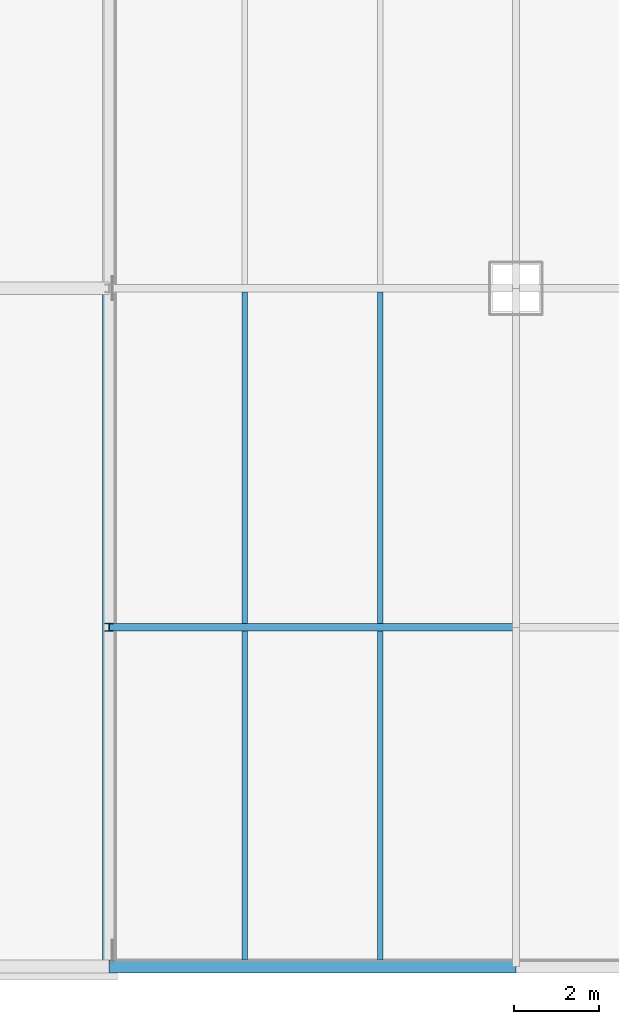
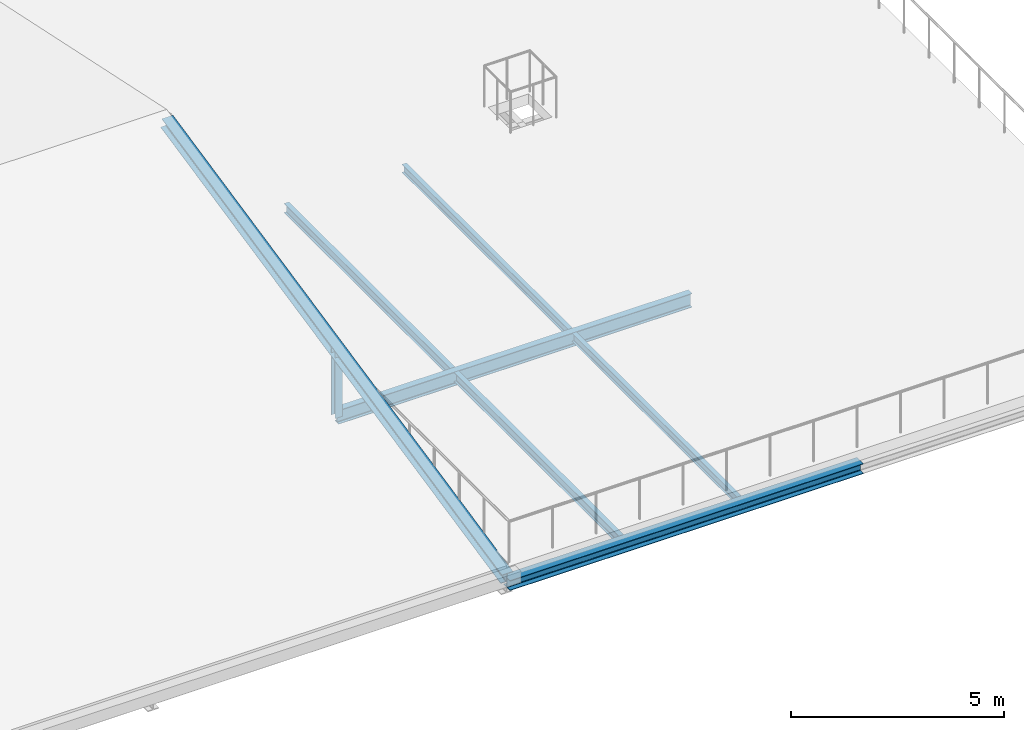
# One storey, part 32 of 85: 6 beams, 2 members.
"""IFC4 building model written with IfcOpenShell, lengths in metres."""

from ifc_helpers import new_model, si_unit, direction, frame, origin, origin_2d, place, context, subcontext, project, spatial, i_section, extrude, material, material_profile, profile_set, type_object, element, save


model = new_model("IFC4")

# Units and contexts
model_context = context("Model", 3, precision=1e-05, world=origin(), true_north=direction((0.0, 1.0)))
body_context = subcontext(model_context, "Body", "Model", "MODEL_VIEW")
ifc_project = project(units=[si_unit("LENGTHUNIT", "METRE"), si_unit("AREAUNIT", "SQUARE_METRE"), si_unit("VOLUMEUNIT", "CUBIC_METRE"), si_unit("PLANEANGLEUNIT", "RADIAN"), si_unit("MASSUNIT", "GRAM", prefix="KILO")], contexts=[model_context])

# Site, building, storey
site_placement = place(None, origin())
site = spatial("IfcSite", under=ifc_project, at=site_placement, CompositionType="ELEMENT")
building_placement = place(site_placement, origin())
building = spatial("IfcBuilding", under=site, at=building_placement, Name="Alderhovde Museum", CompositionType="ELEMENT")
storey_placement = place(building_placement, frame((0.0, 0.0, 8.699951171875)))
storey = spatial("IfcBuildingStorey", under=building, at=storey_placement, Name="L02", CompositionType="ELEMENT", Elevation=8.699951171875)

# Beams
ifc_material_1 = material(Name="Steel S355J2", Category="steel")
ifc_material_profile_1 = material_profile(ifc_material_1, i_section(OverallWidth=0.179931640625, OverallDepth=0.39990234375, WebThickness=0.008544921875, FlangeThickness=0.013427734375, FilletRadius=0.02099609375, at=origin_2d()), Name="IPE 400")
ifc_profile_set_1 = profile_set([ifc_material_profile_1], Name="Steel S355J2")
beam_type_1 = type_object("IfcBeamType", Name="BM-IPE400", PredefinedType="BEAM", material=ifc_profile_set_1)
beam_1_placement = place(storey_placement, frame((96.0, 8.0, -0.5), z_axis=(1.0, 0.0, 0.0), x_axis=(0.0, 1.0, 0.0)))
element("IfcBeam", 1, at=beam_1_placement, inside=storey, type_object=beam_type_1, Name="L02 Grid Beam Y=8.0 (96.0 TO 105.6)", PredefinedType="BEAM", context=body_context, shape_type="SweptSolid", body=[
    extrude(i_section(OverallWidth=0.179931640625, OverallDepth=0.39990234375, WebThickness=0.008544921875, FlangeThickness=0.013427734375, FilletRadius=0.02099609375, at=origin_2d()), origin(), (0.0, 0.0, 1.0), 9.60009765625),
])
ifc_material_2 = material(Name="Steel S355J2", Category="steel")
ifc_material_profile_2 = material_profile(ifc_material_2, i_section(OverallWidth=0.1201171875, OverallDepth=0.239990234375, WebThickness=0.006103515625, FlangeThickness=0.009765625, FilletRadius=0.014892578125, at=origin_2d()), Name="IPE 240")
ifc_profile_set_2 = profile_set([ifc_material_profile_2], Name="Steel S355J2")
beam_type_2 = type_object("IfcBeamType", Name="JST-IPE240", PredefinedType="JOIST", material=ifc_profile_set_2)
beam_2_placement = place(storey_placement, frame((102.39990234375, 0.14990234375, -0.419921875), z_axis=(0.0, 1.0, 0.0), x_axis=(-1.0, 0.0, 0.0)))
element("IfcBeam", 2, at=beam_2_placement, inside=storey, type_object=beam_type_2, Name="L02 Composite Joist X=102.4 (0.0 TO 8.0)", PredefinedType="JOIST", context=body_context, shape_type="SweptSolid", body=[
    extrude(i_section(OverallWidth=0.1201171875, OverallDepth=0.239990234375, WebThickness=0.006103515625, FlangeThickness=0.009765625, FilletRadius=0.014892578125, at=origin_2d()), origin(), (0.0, 0.0, 1.0), 7.760009765625),
])
beam_3_placement = place(storey_placement, frame((102.39990234375, 8.090087890625, -0.419921875), z_axis=(0.0, 1.0, 0.0), x_axis=(-1.0, 0.0, 0.0)))
element("IfcBeam", 3, at=beam_3_placement, inside=storey, type_object=beam_type_2, Name="L02 Composite Joist X=102.4 (8.0 TO 16.0)", PredefinedType="JOIST", context=body_context, shape_type="SweptSolid", body=[
    extrude(i_section(OverallWidth=0.1201171875, OverallDepth=0.239990234375, WebThickness=0.006103515625, FlangeThickness=0.009765625, FilletRadius=0.014892578125, at=origin_2d()), origin(), (0.0, 0.0, 1.0), 7.81982421875),
])
ifc_material_3 = material(Name="Steel S355J2", Category="steel")
ifc_material_profile_3 = material_profile(ifc_material_3, i_section(OverallWidth=0.135009765625, OverallDepth=0.27001953125, WebThickness=0.006591796875, FlangeThickness=0.01025390625, FilletRadius=0.014892578125, at=origin_2d()), Name="IPE 270")
ifc_profile_set_3 = profile_set([ifc_material_profile_3], Name="Steel S355J2")
beam_type_3 = type_object("IfcBeamType", Name="JST-IPE270", PredefinedType="JOIST", material=ifc_profile_set_3)
beam_4_placement = place(storey_placement, frame((99.199951171875, 0.14990234375, -0.43505859375), z_axis=(0.0, 1.0, 0.0), x_axis=(-1.0, 0.0, 0.0)))
element("IfcBeam", 4, at=beam_4_placement, inside=storey, type_object=beam_type_3, Name="L02 Composite Joist X=99.2 (0.0 TO 8.0)", PredefinedType="JOIST", context=body_context, shape_type="SweptSolid", body=[
    extrude(i_section(OverallWidth=0.135009765625, OverallDepth=0.27001953125, WebThickness=0.006591796875, FlangeThickness=0.01025390625, FilletRadius=0.014892578125, at=origin_2d()), origin(), (0.0, 0.0, 1.0), 7.760009765625),
])
beam_5_placement = place(storey_placement, frame((99.199951171875, 8.090087890625, -0.43505859375), z_axis=(0.0, 1.0, 0.0), x_axis=(-1.0, 0.0, 0.0)))
element("IfcBeam", 5, at=beam_5_placement, inside=storey, type_object=beam_type_3, Name="L02 Composite Joist X=99.2 (8.0 TO 16.0)", PredefinedType="JOIST", context=body_context, shape_type="SweptSolid", body=[
    extrude(i_section(OverallWidth=0.135009765625, OverallDepth=0.27001953125, WebThickness=0.006591796875, FlangeThickness=0.01025390625, FilletRadius=0.014892578125, at=origin_2d()), origin(), (0.0, 0.0, 1.0), 7.81982421875),
])
ifc_material_4 = material(Name="Steel S355J2", Category="steel")
ifc_material_profile_4 = material_profile(ifc_material_4, i_section(OverallWidth=0.300048828125, OverallDepth=0.2900390625, WebThickness=0.008544921875, FlangeThickness=0.013916015625, FilletRadius=0.027099609375, at=origin_2d()), Name="HEA 300")
ifc_profile_set_4 = profile_set([ifc_material_profile_4], Name="Steel S355J2")
beam_type_4 = type_object("IfcBeamType", Name="SPD-HEA300", PredefinedType="SPANDREL", material=ifc_profile_set_4)
beam_6_placement = place(storey_placement, frame((96.0, 0.0, -0.445068359375), z_axis=(1.0, 0.0, 0.0), x_axis=(0.0, 1.0, 0.0)))
element("IfcBeam", 6, at=beam_6_placement, inside=storey, type_object=beam_type_4, Name="L02 Grid Beam Y=0.0 (96.0 TO 105.6)", PredefinedType="SPANDREL", context=body_context, shape_type="SweptSolid", body=[
    extrude(i_section(OverallWidth=0.300048828125, OverallDepth=0.2900390625, WebThickness=0.008544921875, FlangeThickness=0.013916015625, FilletRadius=0.027099609375, at=origin_2d()), origin(), (0.0, 0.0, 1.0), 9.60009765625),
])

# Members
ifc_material_5 = material(Name="Steel S355J2", Category="steel")
ifc_material_profile_5 = material_profile(ifc_material_5, i_section(OverallWidth=0.300048828125, OverallDepth=0.2900390625, WebThickness=0.008544921875, FlangeThickness=0.013916015625, FilletRadius=0.027099609375, at=origin_2d()), Name="HEA 300")
ifc_profile_set_5 = profile_set([ifc_material_profile_5], Name="Steel S355J2")
member_type_1 = type_object("IfcMemberType", Name="TR-CH-HEA300", PredefinedType="CHORD", material=ifc_profile_set_5)
member_1_placement = place(storey_placement, frame((96.0, 0.0, -0.300048828125), z_axis=(0.0, 0.9781570301, 0.207867324191), x_axis=(-1.0, 0.0, 0.0)))
element("IfcMember", 7, at=member_1_placement, inside=storey, type_object=member_type_1, Name="Auditorium Roof Truss X=96.0 South Rafter", PredefinedType="CHORD", context=body_context, shape_type="SweptSolid", body=[
    extrude(i_section(OverallWidth=0.300048828125, OverallDepth=0.2900390625, WebThickness=0.008544921875, FlangeThickness=0.013916015625, FilletRadius=0.027099609375, at=origin_2d()), origin(), (0.0, 0.0, 1.0), 16.357177734375),
])
ifc_material_6 = material(Name="Steel S355J2", Category="steel")
ifc_material_profile_6 = material_profile(ifc_material_6, i_section(OverallWidth=0.199951171875, OverallDepth=0.18994140625, WebThickness=0.006591796875, FlangeThickness=0.010009765625, FilletRadius=0.01806640625, at=origin_2d()), Name="HEA 200")
ifc_profile_set_6 = profile_set([ifc_material_profile_6], Name="Steel S355J2")
member_type_2 = type_object("IfcMemberType", Name="TR-PS-HEA200", PredefinedType="POST", material=ifc_profile_set_6)
member_2_placement = place(storey_placement, frame((96.0, 8.0, -0.5), z_axis=(0.0, 0.0, 1.0), x_axis=(1.0, 0.0, 0.0)))
element("IfcMember", 8, at=member_2_placement, inside=storey, type_object=member_type_2, Name="Auditorium Roof Truss X=96.0 Post P1", PredefinedType="POST", context=body_context, shape_type="SweptSolid", body=[
    extrude(i_section(OverallWidth=0.199951171875, OverallDepth=0.18994140625, WebThickness=0.006591796875, FlangeThickness=0.010009765625, FilletRadius=0.01806640625, at=origin_2d()), origin(), (0.0, 0.0, 1.0), 1.900146484375),
])

save(model, "model.ifc")
